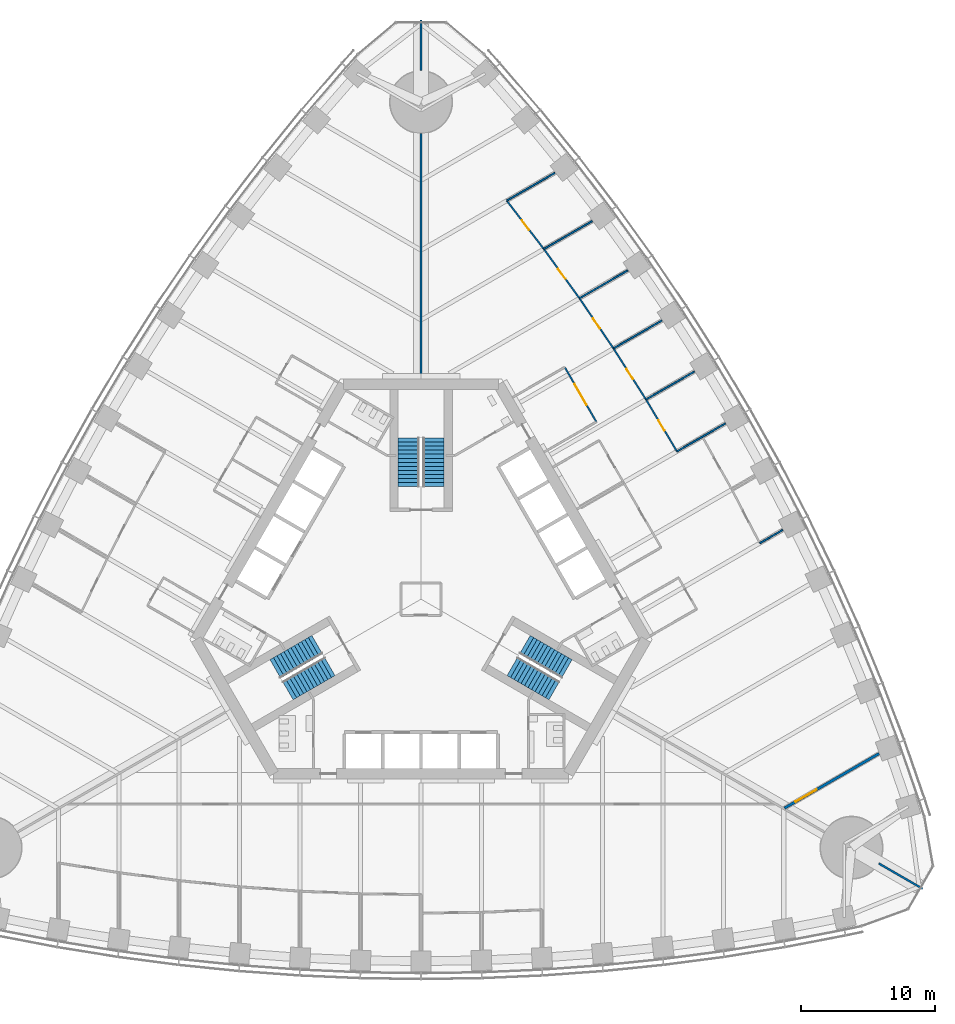
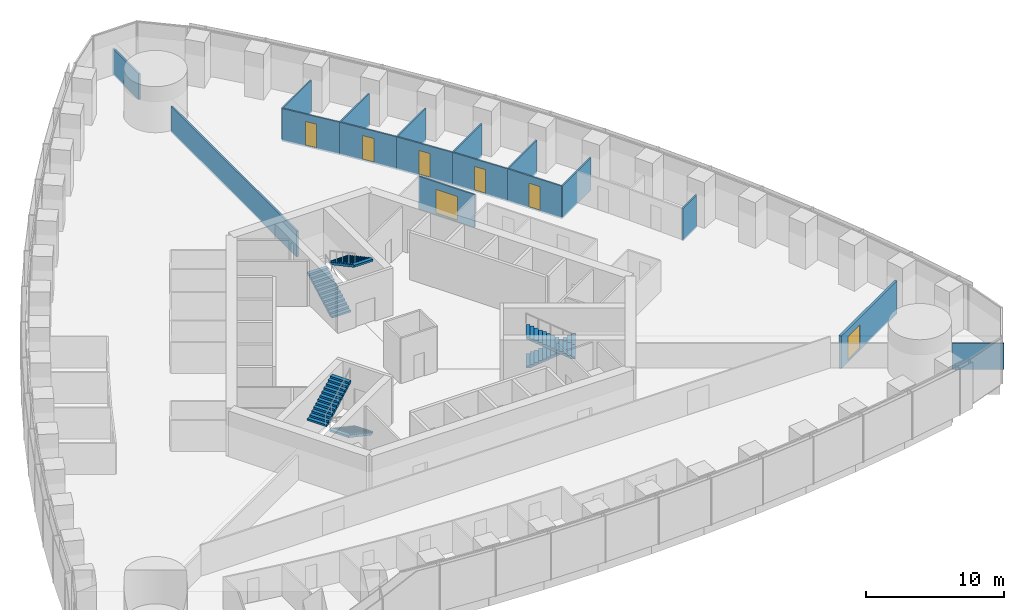
# One storey, part 13 of 18: 17 walls, 7 doors, 6 stair flights, 7 openings, 3 elements without a shape of their own.
"""IFC4 building model written with IfcOpenShell, lengths in metres."""

from ifc_helpers import new_model, si_unit, direction, frame, frame_2d, origin, place, context, subcontext, project, spatial, polyline, rectangle, outline, extrude, material, layer, layer_set, type_object, element, fill, aggregate, save


model = new_model("IFC4")

# Units and contexts
model_context = context("Model", 3, precision=1e-05, world=origin(), true_north=direction((0.0, 1.0)))
body_context = subcontext(model_context, "Body", "Model", "MODEL_VIEW")
ifc_project = project(units=[si_unit("LENGTHUNIT", "METRE"), si_unit("AREAUNIT", "SQUARE_METRE"), si_unit("VOLUMEUNIT", "CUBIC_METRE"), si_unit("PLANEANGLEUNIT", "RADIAN"), si_unit("MASSUNIT", "GRAM", prefix="KILO")], contexts=[model_context])

# Site, building, storey
site_placement = place(None, origin())
site = spatial("IfcSite", under=ifc_project, at=site_placement, CompositionType="ELEMENT")
building_placement = place(site_placement, origin())
building = spatial("IfcBuilding", under=site, at=building_placement, Name="Trefoil Bronze Tower", CompositionType="ELEMENT")
storey_placement = place(building_placement, frame((0.0, 0.0, 33.300048828125)))
storey = spatial("IfcBuildingStorey", under=building, at=storey_placement, Name="L07", CompositionType="ELEMENT", Elevation=33.300048828125)

# Wall, opening, door
ifc_material_1 = material(Name="Gypsum board on steel studs", Category="steel")
ifc_layer_1 = layer(ifc_material_1, 0.199951171875)
ifc_layer_set_1 = layer_set([ifc_layer_1], Name="Acoustic partition 200")
wall_type_1 = type_object("IfcWallType", Name="Acoustic partition 200", PredefinedType="PARTITIONING", material=ifc_layer_set_1)
wall_1_placement = place(storey_placement, frame((27.054931640625, -15.556640625, 0.0), z_axis=(0.0, 0.0, 1.0), x_axis=(0.866026445548, 0.499998195608, 0.0)))
wall_1 = element("IfcWall", 1, at=wall_1_placement, inside=storey, type_object=wall_type_1, Name="Partition F2 L07", PredefinedType="PARTITIONING", context=body_context, shape_type="SweptSolid", body=[
    extrude(rectangle(XDim=8.1240234375, YDim=0.199951171875, at=frame_2d((4.06201171875, 0.0))), origin(), (0.0, 0.0, 1.0), 2.89990234375),
])
opening_1_placement = place(wall_1_placement, frame((0.949951171875, 0.0, 0.14990234375)))
opening_1 = element("IfcOpeningElement", 2, at=opening_1_placement, cuts=wall_1, Name="Opening D10", PredefinedType="OPENING", context=body_context, shape_type="SweptSolid", body=[
    extrude(rectangle(XDim=1.800048828125, YDim=2.10009765625, at=frame_2d((0.89990234375, 1.050048828125))), frame((0.0, 0.10986328125, 0.0), z_axis=(0.0, -1.0, 0.0), x_axis=(1.0, 0.0, 0.0)), (0.0, 0.0, 1.0), 0.219970703125),
])
ifc_material_2 = material(Name="Timber door", Category="wood")
door_type_1 = type_object("IfcDoorType", Name="Double door 1800", OperationType="DOUBLE_DOOR_SINGLE_SWING", PredefinedType="DOOR", material=ifc_material_2)
door_1_placement = place(opening_1_placement, frame((1.800048828125, 0.0, 0.0), z_axis=(0.0, 0.0, 1.0), x_axis=(-1.0, 0.0, 0.0)))
door_1 = element("IfcDoor", 3, at=door_1_placement, inside=storey, type_object=door_type_1, Name="Boardroom door F2 L07", OperationType="DOUBLE_DOOR_SINGLE_SWING", OverallHeight=2.10009765625, OverallWidth=1.800048828125, PredefinedType="DOOR", context=body_context, shape_type="SweptSolid", body=[
    extrude(rectangle(XDim=1.800048828125, YDim=2.10009765625, at=frame_2d((0.89990234375, 1.050048828125))), frame((0.0, 0.02490234375, 0.0), z_axis=(0.0, -1.0, 0.0), x_axis=(1.0, 0.0, 0.0)), (0.0, 0.0, 1.0), 0.050048828125),
])
fill(opening_1, door_1)

ifc_material_3 = material(Name="Glazed partition", Category="glass")
ifc_layer_2 = layer(ifc_material_3, 0.1201171875)
ifc_layer_set_2 = layer_set([ifc_layer_2], Name="Glazed partition 120")
wall_type_2 = type_object("IfcWallType", Name="Glazed partition 120", PredefinedType="PARTITIONING", material=ifc_layer_set_2)
wall_2_placement = place(storey_placement, frame((13.0517578125, 13.193603515625, 0.0), z_axis=(0.0, 0.0, 1.0), x_axis=(-0.499977259774, 0.866038532462, 0.0)))
wall_2 = element("IfcWall", 4, at=wall_2_placement, inside=storey, type_object=wall_type_2, Name="Partition F2 L07", PredefinedType="PARTITIONING", context=body_context, shape_type="SweptSolid", body=[
    extrude(rectangle(XDim=4.699951171875, YDim=0.1201171875, at=frame_2d((2.35009765625, 0.0))), origin(), (0.0, 0.0, 1.0), 2.89990234375),
])
opening_2_placement = place(wall_2_placement, frame((1.449951171875, 0.0, 0.14990234375)))
opening_2 = element("IfcOpeningElement", 5, at=opening_2_placement, cuts=wall_2, Name="Opening D10", PredefinedType="OPENING", context=body_context, shape_type="SweptSolid", body=[
    extrude(rectangle(XDim=1.800048828125, YDim=2.10009765625, at=frame_2d((0.89990234375, 1.050048828125))), frame((0.0, 0.070068359375, 0.0), z_axis=(0.0, -1.0, 0.0), x_axis=(1.0, 0.0, 0.0)), (0.0, 0.0, 1.0), 0.14013671875),
])
door_2_placement = place(opening_2_placement, origin())
door_2 = element("IfcDoor", 6, at=door_2_placement, inside=storey, type_object=door_type_1, Name="Reception door F2 L07", OperationType="DOUBLE_DOOR_SINGLE_SWING", OverallHeight=2.10009765625, OverallWidth=1.800048828125, PredefinedType="DOOR", context=body_context, shape_type="SweptSolid", body=[
    extrude(rectangle(XDim=1.800048828125, YDim=2.10009765625, at=frame_2d((0.89990234375, 1.050048828125))), frame((0.0, 0.02490234375, 0.0), z_axis=(0.0, -1.0, 0.0), x_axis=(1.0, 0.0, 0.0)), (0.0, 0.0, 1.0), 0.050048828125),
])
fill(opening_2, door_2)

wall_3_placement = place(storey_placement, frame((19.051513671875, 10.999267578125, 0.0), z_axis=(0.0, 0.0, 1.0), x_axis=(-0.51252396108, 0.858672923364, 0.0)))
wall_3 = element("IfcWall", 7, at=wall_3_placement, inside=storey, type_object=wall_type_2, Name="Partition F2 L07", PredefinedType="PARTITIONING", context=body_context, shape_type="SweptSolid", body=[
    extrude(rectangle(XDim=4.50048828125, YDim=0.1201171875, at=frame_2d((2.250244140625, 0.0))), origin(), (0.0, 0.0, 1.0), 2.89990234375),
])
opening_3_placement = place(wall_3_placement, frame((1.800048828125, 0.0, 0.14990234375)))
opening_3 = element("IfcOpeningElement", 8, at=opening_3_placement, cuts=wall_3, Name="Opening D8", PredefinedType="OPENING", context=body_context, shape_type="SweptSolid", body=[
    extrude(rectangle(XDim=0.89990234375, YDim=2.10009765625, at=frame_2d((0.449951171875, 1.050048828125))), frame((0.0, 0.070068359375, 0.0), z_axis=(0.0, -1.0, 0.0), x_axis=(1.0, 0.0, 0.0)), (0.0, 0.0, 1.0), 0.14013671875),
])
ifc_material_4 = material(Name="Timber door", Category="wood")
door_type_2 = type_object("IfcDoorType", Name="Office door 900", OperationType="SINGLE_SWING_LEFT", PredefinedType="DOOR", material=ifc_material_4)
door_3_placement = place(opening_3_placement, frame((0.89990234375, 0.0, 0.0), z_axis=(0.0, 0.0, 1.0), x_axis=(-1.0, 0.0, 0.0)))
door_3 = element("IfcDoor", 9, at=door_3_placement, inside=storey, type_object=door_type_2, Name="Office door F2 L07", OperationType="SINGLE_SWING_RIGHT", OverallHeight=2.10009765625, OverallWidth=0.89990234375, PredefinedType="DOOR", context=body_context, shape_type="SweptSolid", body=[
    extrude(rectangle(XDim=0.89990234375, YDim=2.10009765625, at=frame_2d((0.449951171875, 1.050048828125))), frame((0.0, 0.02490234375, 0.0), z_axis=(0.0, -1.0, 0.0), x_axis=(1.0, 0.0, 0.0)), (0.0, 0.0, 1.0), 0.050048828125),
])
fill(opening_3, door_3)

wall_4_placement = place(storey_placement, frame((11.791748046875, 22.396240234375, 0.0), z_axis=(0.0, 0.0, 1.0), x_axis=(-0.585376255171, 0.810761765183, 0.0)))
wall_4 = element("IfcWall", 10, at=wall_4_placement, inside=storey, type_object=wall_type_2, Name="Partition F2 L07", PredefinedType="PARTITIONING", context=body_context, shape_type="SweptSolid", body=[
    extrude(rectangle(XDim=4.5234375, YDim=0.1201171875, at=frame_2d((2.26171875, 0.0))), origin(), (0.0, 0.0, 1.0), 2.89990234375),
])
opening_4_placement = place(wall_4_placement, frame((1.800048828125, 0.0, 0.14990234375)))
opening_4 = element("IfcOpeningElement", 11, at=opening_4_placement, cuts=wall_4, Name="Opening D8", PredefinedType="OPENING", context=body_context, shape_type="SweptSolid", body=[
    extrude(rectangle(XDim=0.89990234375, YDim=2.10009765625, at=frame_2d((0.449951171875, 1.050048828125))), frame((0.0, 0.070068359375, 0.0), z_axis=(0.0, -1.0, 0.0), x_axis=(1.0, 0.0, 0.0)), (0.0, 0.0, 1.0), 0.14013671875),
])
door_4_placement = place(opening_4_placement, frame((0.89990234375, 0.0, 0.0), z_axis=(0.0, 0.0, 1.0), x_axis=(-1.0, 0.0, 0.0)))
door_4 = element("IfcDoor", 12, at=door_4_placement, inside=storey, type_object=door_type_2, Name="Office door F2 L07", OperationType="SINGLE_SWING_RIGHT", OverallHeight=2.10009765625, OverallWidth=0.89990234375, PredefinedType="DOOR", context=body_context, shape_type="SweptSolid", body=[
    extrude(rectangle(XDim=0.89990234375, YDim=2.10009765625, at=frame_2d((0.449951171875, 1.050048828125))), frame((0.0, 0.02490234375, 0.0), z_axis=(0.0, -1.0, 0.0), x_axis=(1.0, 0.0, 0.0)), (0.0, 0.0, 1.0), 0.050048828125),
])
fill(opening_4, door_4)

wall_5_placement = place(storey_placement, frame((9.143798828125, 26.063720703125, 0.0), z_axis=(0.0, 0.0, 1.0), x_axis=(-0.608818785139, 0.79330932609, 0.0)))
wall_5 = element("IfcWall", 13, at=wall_5_placement, inside=storey, type_object=wall_type_2, Name="Partition F2 L07", PredefinedType="PARTITIONING", context=body_context, shape_type="SweptSolid", body=[
    extrude(rectangle(XDim=4.5390625, YDim=0.1201171875, at=frame_2d((2.26953125, 0.0))), origin(), (0.0, 0.0, 1.0), 2.89990234375),
])
opening_5_placement = place(wall_5_placement, frame((1.800048828125, 0.0, 0.14990234375)))
opening_5 = element("IfcOpeningElement", 14, at=opening_5_placement, cuts=wall_5, Name="Opening D8", PredefinedType="OPENING", context=body_context, shape_type="SweptSolid", body=[
    extrude(rectangle(XDim=0.89990234375, YDim=2.10009765625, at=frame_2d((0.449951171875, 1.050048828125))), frame((0.0, 0.070068359375, 0.0), z_axis=(0.0, -1.0, 0.0), x_axis=(1.0, 0.0, 0.0)), (0.0, 0.0, 1.0), 0.14013671875),
])
door_5_placement = place(opening_5_placement, frame((0.89990234375, 0.0, 0.0), z_axis=(0.0, 0.0, 1.0), x_axis=(-1.0, 0.0, 0.0)))
door_5 = element("IfcDoor", 15, at=door_5_placement, inside=storey, type_object=door_type_2, Name="Office door F2 L07", OperationType="SINGLE_SWING_RIGHT", OverallHeight=2.10009765625, OverallWidth=0.89990234375, PredefinedType="DOOR", context=body_context, shape_type="SweptSolid", body=[
    extrude(rectangle(XDim=0.89990234375, YDim=2.10009765625, at=frame_2d((0.449951171875, 1.050048828125))), frame((0.0, 0.02490234375, 0.0), z_axis=(0.0, -1.0, 0.0), x_axis=(1.0, 0.0, 0.0)), (0.0, 0.0, 1.0), 0.050048828125),
])
fill(opening_5, door_5)

wall_6_placement = place(storey_placement, frame((16.744873046875, 14.86376953125, 0.0), z_axis=(0.0, 0.0, 1.0), x_axis=(-0.537205132487, 0.843451626135, 0.0)))
wall_6 = element("IfcWall", 16, at=wall_6_placement, inside=storey, type_object=wall_type_2, Name="Partition F2 L07", PredefinedType="PARTITIONING", context=body_context, shape_type="SweptSolid", body=[
    extrude(rectangle(XDim=4.504150390625, YDim=0.1201171875, at=frame_2d((2.251953125, 0.0))), origin(), (0.0, 0.0, 1.0), 2.89990234375),
])
opening_6_placement = place(wall_6_placement, frame((1.800048828125, 0.0, 0.14990234375)))
opening_6 = element("IfcOpeningElement", 17, at=opening_6_placement, cuts=wall_6, Name="Opening D8", PredefinedType="OPENING", context=body_context, shape_type="SweptSolid", body=[
    extrude(rectangle(XDim=0.89990234375, YDim=2.10009765625, at=frame_2d((0.449951171875, 1.050048828125))), frame((0.0, 0.070068359375, 0.0), z_axis=(0.0, -1.0, 0.0), x_axis=(1.0, 0.0, 0.0)), (0.0, 0.0, 1.0), 0.14013671875),
])
door_6_placement = place(opening_6_placement, frame((0.89990234375, 0.0, 0.0), z_axis=(0.0, 0.0, 1.0), x_axis=(-1.0, 0.0, 0.0)))
door_6 = element("IfcDoor", 18, at=door_6_placement, inside=storey, type_object=door_type_2, Name="Office door F2 L07", OperationType="SINGLE_SWING_RIGHT", OverallHeight=2.10009765625, OverallWidth=0.89990234375, PredefinedType="DOOR", context=body_context, shape_type="SweptSolid", body=[
    extrude(rectangle(XDim=0.89990234375, YDim=2.10009765625, at=frame_2d((0.449951171875, 1.050048828125))), frame((0.0, 0.02490234375, 0.0), z_axis=(0.0, -1.0, 0.0), x_axis=(1.0, 0.0, 0.0)), (0.0, 0.0, 1.0), 0.050048828125),
])
fill(opening_6, door_6)

wall_7_placement = place(storey_placement, frame((14.3251953125, 18.662841796875, 0.0), z_axis=(0.0, 0.0, 1.0), x_axis=(-0.561512004239, 0.827468591002, 0.0)))
wall_7 = element("IfcWall", 19, at=wall_7_placement, inside=storey, type_object=wall_type_2, Name="Partition F2 L07", PredefinedType="PARTITIONING", context=body_context, shape_type="SweptSolid", body=[
    extrude(rectangle(XDim=4.51171875, YDim=0.1201171875, at=frame_2d((2.255859375, 0.0))), origin(), (0.0, 0.0, 1.0), 2.89990234375),
])
opening_7_placement = place(wall_7_placement, frame((1.800048828125, 0.0, 0.14990234375)))
opening_7 = element("IfcOpeningElement", 20, at=opening_7_placement, cuts=wall_7, Name="Opening D8", PredefinedType="OPENING", context=body_context, shape_type="SweptSolid", body=[
    extrude(rectangle(XDim=0.89990234375, YDim=2.10009765625, at=frame_2d((0.449951171875, 1.050048828125))), frame((0.0, 0.070068359375, 0.0), z_axis=(0.0, -1.0, 0.0), x_axis=(1.0, 0.0, 0.0)), (0.0, 0.0, 1.0), 0.14013671875),
])
door_7_placement = place(opening_7_placement, frame((0.89990234375, 0.0, 0.0), z_axis=(0.0, 0.0, 1.0), x_axis=(-1.0, 0.0, 0.0)))
door_7 = element("IfcDoor", 21, at=door_7_placement, inside=storey, type_object=door_type_2, Name="Office door F2 L07", OperationType="SINGLE_SWING_RIGHT", OverallHeight=2.10009765625, OverallWidth=0.89990234375, PredefinedType="DOOR", context=body_context, shape_type="SweptSolid", body=[
    extrude(rectangle(XDim=0.89990234375, YDim=2.10009765625, at=frame_2d((0.449951171875, 1.050048828125))), frame((0.0, 0.02490234375, 0.0), z_axis=(0.0, -1.0, 0.0), x_axis=(1.0, 0.0, 0.0)), (0.0, 0.0, 1.0), 0.050048828125),
])
fill(opening_7, door_7)

# Walls
wall_8_placement = place(storey_placement, frame((19.051513671875, 10.999267578125, 0.0), z_axis=(0.0, 0.0, 1.0), x_axis=(0.866004239599, 0.500036655653, 0.0)))
element("IfcWall", 22, at=wall_8_placement, inside=storey, type_object=wall_type_2, Name="Partition F2 L07", PredefinedType="PARTITIONING", context=body_context, shape_type="SweptSolid", body=[
    extrude(rectangle(XDim=4.170166015625, YDim=0.1201171875, at=frame_2d((2.0849609375, 0.0))), origin(), (0.0, 0.0, 1.0), 2.89990234375),
])
wall_9_placement = place(storey_placement, frame((11.791748046875, 22.396240234375, 0.0), z_axis=(0.0, 0.0, 1.0), x_axis=(0.866011781705, 0.500023593391, 0.0)))
element("IfcWall", 23, at=wall_9_placement, inside=storey, type_object=wall_type_2, Name="Partition F2 L07", PredefinedType="PARTITIONING", context=body_context, shape_type="SweptSolid", body=[
    extrude(rectangle(XDim=4.163818359375, YDim=0.1201171875, at=frame_2d((2.08203125, 0.0))), origin(), (0.0, 0.0, 1.0), 2.89990234375),
])
wall_10_placement = place(storey_placement, frame((9.143798828125, 26.063720703125, 0.0), z_axis=(0.0, 0.0, 1.0), x_axis=(0.866031144707, 0.499990056298, 0.0)))
element("IfcWall", 24, at=wall_10_placement, inside=storey, type_object=wall_type_2, Name="Partition F2 L07", PredefinedType="PARTITIONING", context=body_context, shape_type="SweptSolid", body=[
    extrude(rectangle(XDim=4.1591796875, YDim=0.1201171875, at=frame_2d((2.07958984375, 0.0))), origin(), (0.0, 0.0, 1.0), 2.89990234375),
])
wall_11_placement = place(storey_placement, frame((6.38037109375, 29.66455078125, 0.0), z_axis=(0.0, 0.0, 1.0), x_axis=(0.866027987673, 0.499995524547, 0.0)))
element("IfcWall", 25, at=wall_11_placement, inside=storey, type_object=wall_type_2, Name="Partition F2 L07", PredefinedType="PARTITIONING", context=body_context, shape_type="SweptSolid", body=[
    extrude(rectangle(XDim=4.1533203125, YDim=0.1201171875, at=frame_2d((2.07666015625, 0.0))), origin(), (0.0, 0.0, 1.0), 2.89990234375),
])
wall_12_placement = place(storey_placement, frame((16.744873046875, 14.86376953125, 0.0), z_axis=(0.0, 0.0, 1.0), x_axis=(0.866025669538, 0.499999539701, 0.0)))
element("IfcWall", 26, at=wall_12_placement, inside=storey, type_object=wall_type_2, Name="Partition F2 L07", PredefinedType="PARTITIONING", context=body_context, shape_type="SweptSolid", body=[
    extrude(rectangle(XDim=4.16943359375, YDim=0.1201171875, at=frame_2d((2.084716796875, 0.0))), origin(), (0.0, 0.0, 1.0), 2.89990234375),
])
wall_13_placement = place(storey_placement, frame((14.3251953125, 18.662841796875, 0.0), z_axis=(0.0, 0.0, 1.0), x_axis=(0.866009971343, 0.50002672882, 0.0)))
element("IfcWall", 27, at=wall_13_placement, inside=storey, type_object=wall_type_2, Name="Partition F2 L07", PredefinedType="PARTITIONING", context=body_context, shape_type="SweptSolid", body=[
    extrude(rectangle(XDim=4.167236328125, YDim=0.1201171875, at=frame_2d((2.08349609375, 0.0))), origin(), (0.0, 0.0, 1.0), 2.89990234375),
])
wall_14_placement = place(storey_placement, frame((25.21728515625, 4.1669921875, 0.0), z_axis=(0.0, 0.0, 1.0), x_axis=(0.866021515814, 0.500006734102, 0.0)))
element("IfcWall", 28, at=wall_14_placement, inside=storey, type_object=wall_type_2, Name="Partition F2 L07", PredefinedType="PARTITIONING", context=body_context, shape_type="SweptSolid", body=[
    extrude(rectangle(XDim=1.982421875, YDim=0.1201171875, at=frame_2d((0.9912109375, 0.0))), origin(), (0.0, 0.0, 1.0), 2.89990234375),
])
ifc_material_5 = material(Name="Gypsum board on steel studs", Category="steel")
ifc_layer_3 = layer(ifc_material_5, 0.14990234375)
ifc_layer_set_3 = layer_set([ifc_layer_3], Name="Party wall 150")
wall_type_3 = type_object("IfcWallType", Name="Party wall 150", PredefinedType="PARTITIONING", material=ifc_layer_set_3)
wall_15_placement = place(storey_placement, frame((34.078125, -19.675048828125, 0.0), z_axis=(0.0, 0.0, 1.0), x_axis=(0.866019247219, -0.500010663332, 0.0)))
element("IfcWall", 29, at=wall_15_placement, inside=storey, type_object=wall_type_3, Name="Party wall K1 L07", PredefinedType="PARTITIONING", context=body_context, shape_type="SweptSolid", body=[
    extrude(rectangle(XDim=3.76416015625, YDim=0.14990234375, at=frame_2d((1.882080078125, 0.0))), origin(), (0.0, 0.0, 1.0), 2.300048828125),
])
wall_16_placement = place(storey_placement, frame((0.0, 16.39990234375, 0.0), z_axis=(0.0, 0.0, 1.0), x_axis=(0.0, 1.0, 0.0)))
element("IfcWall", 30, at=wall_16_placement, inside=storey, type_object=wall_type_3, Name="Party wall K2 L07", PredefinedType="PARTITIONING", context=body_context, shape_type="SweptSolid", body=[
    extrude(rectangle(XDim=18.25, YDim=0.14990234375, at=frame_2d((9.125, 0.0))), origin(), (0.0, 0.0, 1.0), 2.300048828125),
])
wall_17_placement = place(storey_placement, frame((0.0, 39.35009765625, 0.0), z_axis=(0.0, 0.0, 1.0), x_axis=(0.0, 1.0, 0.0)))
element("IfcWall", 31, at=wall_17_placement, inside=storey, type_object=wall_type_3, Name="Party wall K2 L07", PredefinedType="PARTITIONING", context=body_context, shape_type="SweptSolid", body=[
    extrude(rectangle(XDim=3.763916015625, YDim=0.14990234375, at=frame_2d((1.8818359375, 0.0))), origin(), (0.0, 0.0, 1.0), 2.300048828125),
])

# Stair, stair flights
ifc_material_6 = material(Name="Precast concrete B80", Category="concrete")
stair_type = type_object("IfcStairType", Name="Exit stair 26 risers", PredefinedType="HALF_TURN_STAIR", material=ifc_material_6)
stair_1_placement = place(storey_placement, origin())
stair_1 = element("IfcStair", 32, at=stair_1_placement, inside=storey, type_object=stair_type, Name="Stair ST1 L07", PredefinedType="HALF_TURN_STAIR")
ifc_material_7 = material(Name="Precast concrete B80", Category="concrete")
stair_flight_type = type_object("IfcStairFlightType", Name="Stair flight 1600", PredefinedType="STRAIGHT", material=ifc_material_7)
stair_flight_1_placement = place(storey_placement, frame((7.728515625, -3.39404296875, 0.0), z_axis=(0.0, 0.0, 1.0), x_axis=(0.866025403784, -0.5, 0.0)))
stair_flight_1 = element("IfcStairFlight", 33, at=stair_flight_1_placement, type_object=stair_flight_type, Name="ST1 flight 1", NumberOfRisers=13, NumberOfTreads=12, PredefinedType="STRAIGHT", RiserHeight=0.161538462, TreadLength=0.3, context=body_context, shape_type="SweptSolid", body=[
    extrude(outline(polyline([(0.0, 0.0), (0.0, 0.16162109375), (0.300048828125, 0.16162109375), (0.300048828125, 0.322998046875), (0.60009765625, 0.322998046875), (0.60009765625, 0.484619140625), (0.89990234375, 0.484619140625), (0.89990234375, 0.646240234375), (1.199951171875, 0.646240234375), (1.199951171875, 0.8076171875), (1.5, 0.8076171875), (1.5, 0.96923828125), (1.800048828125, 0.96923828125), (1.800048828125, 1.130859375), (2.10009765625, 1.130859375), (2.10009765625, 1.292236328125), (2.39990234375, 1.292236328125), (2.39990234375, 1.453857421875), (2.699951171875, 1.453857421875), (2.699951171875, 1.615478515625), (3.0, 1.615478515625), (3.0, 1.77685546875), (3.300048828125, 1.77685546875), (3.300048828125, 1.9384765625), (3.60009765625, 1.9384765625), (3.60009765625, 2.10009765625), (3.60009765625, 1.768310546875), (0.316162109375, 0.0), (0.0, 0.0)])), frame((0.0, 0.800048828125, 0.0), z_axis=(0.0, -1.0, 0.0), x_axis=(1.0, 0.0, 0.0)), (0.0, 0.0, 1.0), 1.60009765625),
])
stair_flight_2_placement = place(storey_placement, frame((9.921142578125, -6.796142578125, 2.099853515625), z_axis=(0.0, 0.0, 1.0), x_axis=(-0.866025403784, 0.5, 0.0)))
stair_flight_2 = element("IfcStairFlight", 34, at=stair_flight_2_placement, type_object=stair_flight_type, Name="ST1 flight 2", NumberOfRisers=13, NumberOfTreads=12, PredefinedType="STRAIGHT", RiserHeight=0.161538462, TreadLength=0.3, context=body_context, shape_type="SweptSolid", body=[
    extrude(outline(polyline([(0.0, 0.0), (0.0, 0.16162109375), (0.300048828125, 0.16162109375), (0.300048828125, 0.322998046875), (0.60009765625, 0.322998046875), (0.60009765625, 0.484619140625), (0.89990234375, 0.484619140625), (0.89990234375, 0.646240234375), (1.199951171875, 0.646240234375), (1.199951171875, 0.8076171875), (1.5, 0.8076171875), (1.5, 0.96923828125), (1.800048828125, 0.96923828125), (1.800048828125, 1.130859375), (2.10009765625, 1.130859375), (2.10009765625, 1.292236328125), (2.39990234375, 1.292236328125), (2.39990234375, 1.453857421875), (2.699951171875, 1.453857421875), (2.699951171875, 1.615478515625), (3.0, 1.615478515625), (3.0, 1.77685546875), (3.300048828125, 1.77685546875), (3.300048828125, 1.9384765625), (3.60009765625, 1.9384765625), (3.60009765625, 2.10009765625), (3.60009765625, 1.768310546875), (0.316162109375, 0.0), (0.0, 0.0)])), frame((0.0, 0.800048828125, 0.0), z_axis=(0.0, -1.0, 0.0), x_axis=(1.0, 0.0, 0.0)), (0.0, 0.0, 1.0), 1.60009765625),
])
aggregate(stair_1, [stair_flight_1, stair_flight_2])

stair_2_placement = place(storey_placement, origin())
stair_2 = element("IfcStair", 35, at=stair_2_placement, inside=storey, type_object=stair_type, Name="Stair ST2 L07", PredefinedType="HALF_TURN_STAIR")
stair_flight_3_placement = place(storey_placement, frame((-0.925048828125, 8.389892578125, 0.0), z_axis=(0.0, 0.0, 1.0), x_axis=(0.0, 1.0, 0.0)))
stair_flight_3 = element("IfcStairFlight", 36, at=stair_flight_3_placement, type_object=stair_flight_type, Name="ST2 flight 1", NumberOfRisers=13, NumberOfTreads=12, PredefinedType="STRAIGHT", RiserHeight=0.161538462, TreadLength=0.3, context=body_context, shape_type="SweptSolid", body=[
    extrude(outline(polyline([(0.0, 0.0), (0.0, 0.16162109375), (0.300048828125, 0.16162109375), (0.300048828125, 0.322998046875), (0.60009765625, 0.322998046875), (0.60009765625, 0.484619140625), (0.89990234375, 0.484619140625), (0.89990234375, 0.646240234375), (1.199951171875, 0.646240234375), (1.199951171875, 0.8076171875), (1.5, 0.8076171875), (1.5, 0.96923828125), (1.800048828125, 0.96923828125), (1.800048828125, 1.130859375), (2.10009765625, 1.130859375), (2.10009765625, 1.292236328125), (2.39990234375, 1.292236328125), (2.39990234375, 1.453857421875), (2.699951171875, 1.453857421875), (2.699951171875, 1.615478515625), (3.0, 1.615478515625), (3.0, 1.77685546875), (3.300048828125, 1.77685546875), (3.300048828125, 1.9384765625), (3.60009765625, 1.9384765625), (3.60009765625, 2.10009765625), (3.60009765625, 1.768310546875), (0.316162109375, 0.0), (0.0, 0.0)])), frame((0.0, 0.800048828125, 0.0), z_axis=(0.0, -1.0, 0.0), x_axis=(1.0, 0.0, 0.0)), (0.0, 0.0, 1.0), 1.60009765625),
])
stair_flight_4_placement = place(storey_placement, frame((0.925048828125, 11.989990234375, 2.099853515625), z_axis=(0.0, 0.0, 1.0), x_axis=(0.0, -1.0, 0.0)))
stair_flight_4 = element("IfcStairFlight", 37, at=stair_flight_4_placement, type_object=stair_flight_type, Name="ST2 flight 2", NumberOfRisers=13, NumberOfTreads=12, PredefinedType="STRAIGHT", RiserHeight=0.161538462, TreadLength=0.3, context=body_context, shape_type="SweptSolid", body=[
    extrude(outline(polyline([(0.0, 0.0), (0.0, 0.16162109375), (0.300048828125, 0.16162109375), (0.300048828125, 0.322998046875), (0.60009765625, 0.322998046875), (0.60009765625, 0.484619140625), (0.89990234375, 0.484619140625), (0.89990234375, 0.646240234375), (1.199951171875, 0.646240234375), (1.199951171875, 0.8076171875), (1.5, 0.8076171875), (1.5, 0.96923828125), (1.800048828125, 0.96923828125), (1.800048828125, 1.130859375), (2.10009765625, 1.130859375), (2.10009765625, 1.292236328125), (2.39990234375, 1.292236328125), (2.39990234375, 1.453857421875), (2.699951171875, 1.453857421875), (2.699951171875, 1.615478515625), (3.0, 1.615478515625), (3.0, 1.77685546875), (3.300048828125, 1.77685546875), (3.300048828125, 1.9384765625), (3.60009765625, 1.9384765625), (3.60009765625, 2.10009765625), (3.60009765625, 1.768310546875), (0.316162109375, 0.0), (0.0, 0.0)])), frame((0.0, 0.800048828125, 0.0), z_axis=(0.0, -1.0, 0.0), x_axis=(1.0, 0.0, 0.0)), (0.0, 0.0, 1.0), 1.60009765625),
])
aggregate(stair_2, [stair_flight_3, stair_flight_4])

stair_3_placement = place(storey_placement, origin())
stair_3 = element("IfcStair", 38, at=stair_3_placement, inside=storey, type_object=stair_type, Name="Stair ST3 L07", PredefinedType="HALF_TURN_STAIR")
stair_flight_5_placement = place(storey_placement, frame((-6.803466796875, -4.99609375, 0.0), z_axis=(0.0, 0.0, 1.0), x_axis=(-0.866025403784, -0.5, 0.0)))
stair_flight_5 = element("IfcStairFlight", 39, at=stair_flight_5_placement, type_object=stair_flight_type, Name="ST3 flight 1", NumberOfRisers=13, NumberOfTreads=12, PredefinedType="STRAIGHT", RiserHeight=0.161538462, TreadLength=0.3, context=body_context, shape_type="SweptSolid", body=[
    extrude(outline(polyline([(0.0, 0.0), (0.0, 0.16162109375), (0.300048828125, 0.16162109375), (0.300048828125, 0.322998046875), (0.60009765625, 0.322998046875), (0.60009765625, 0.484619140625), (0.89990234375, 0.484619140625), (0.89990234375, 0.646240234375), (1.199951171875, 0.646240234375), (1.199951171875, 0.8076171875), (1.5, 0.8076171875), (1.5, 0.96923828125), (1.800048828125, 0.96923828125), (1.800048828125, 1.130859375), (2.10009765625, 1.130859375), (2.10009765625, 1.292236328125), (2.39990234375, 1.292236328125), (2.39990234375, 1.453857421875), (2.699951171875, 1.453857421875), (2.699951171875, 1.615478515625), (3.0, 1.615478515625), (3.0, 1.77685546875), (3.300048828125, 1.77685546875), (3.300048828125, 1.9384765625), (3.60009765625, 1.9384765625), (3.60009765625, 2.10009765625), (3.60009765625, 1.768310546875), (0.316162109375, 0.0), (0.0, 0.0)])), frame((0.0, 0.800048828125, 0.0), z_axis=(0.0, -1.0, 0.0), x_axis=(1.0, 0.0, 0.0)), (0.0, 0.0, 1.0), 1.60009765625),
])
stair_flight_6_placement = place(storey_placement, frame((-10.84619140625, -5.19384765625, 2.099853515625), z_axis=(0.0, 0.0, 1.0), x_axis=(0.866025403784, 0.5, 0.0)))
stair_flight_6 = element("IfcStairFlight", 40, at=stair_flight_6_placement, type_object=stair_flight_type, Name="ST3 flight 2", NumberOfRisers=13, NumberOfTreads=12, PredefinedType="STRAIGHT", RiserHeight=0.161538462, TreadLength=0.3, context=body_context, shape_type="SweptSolid", body=[
    extrude(outline(polyline([(0.0, 0.0), (0.0, 0.16162109375), (0.300048828125, 0.16162109375), (0.300048828125, 0.322998046875), (0.60009765625, 0.322998046875), (0.60009765625, 0.484619140625), (0.89990234375, 0.484619140625), (0.89990234375, 0.646240234375), (1.199951171875, 0.646240234375), (1.199951171875, 0.8076171875), (1.5, 0.8076171875), (1.5, 0.96923828125), (1.800048828125, 0.96923828125), (1.800048828125, 1.130859375), (2.10009765625, 1.130859375), (2.10009765625, 1.292236328125), (2.39990234375, 1.292236328125), (2.39990234375, 1.453857421875), (2.699951171875, 1.453857421875), (2.699951171875, 1.615478515625), (3.0, 1.615478515625), (3.0, 1.77685546875), (3.300048828125, 1.77685546875), (3.300048828125, 1.9384765625), (3.60009765625, 1.9384765625), (3.60009765625, 2.10009765625), (3.60009765625, 1.768310546875), (0.316162109375, 0.0), (0.0, 0.0)])), frame((0.0, 0.800048828125, 0.0), z_axis=(0.0, -1.0, 0.0), x_axis=(1.0, 0.0, 0.0)), (0.0, 0.0, 1.0), 1.60009765625),
])
aggregate(stair_3, [stair_flight_5, stair_flight_6])

save(model, "model.ifc")
